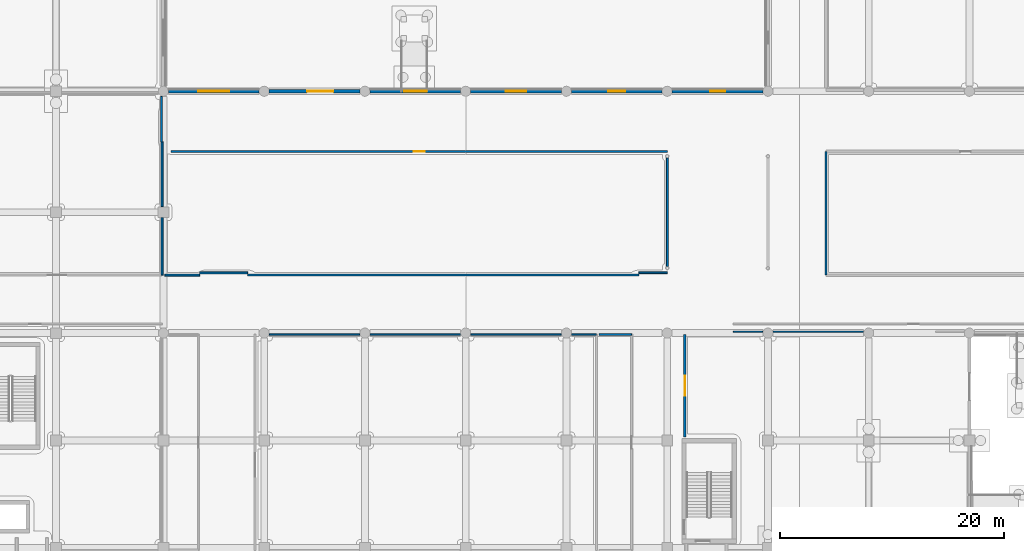
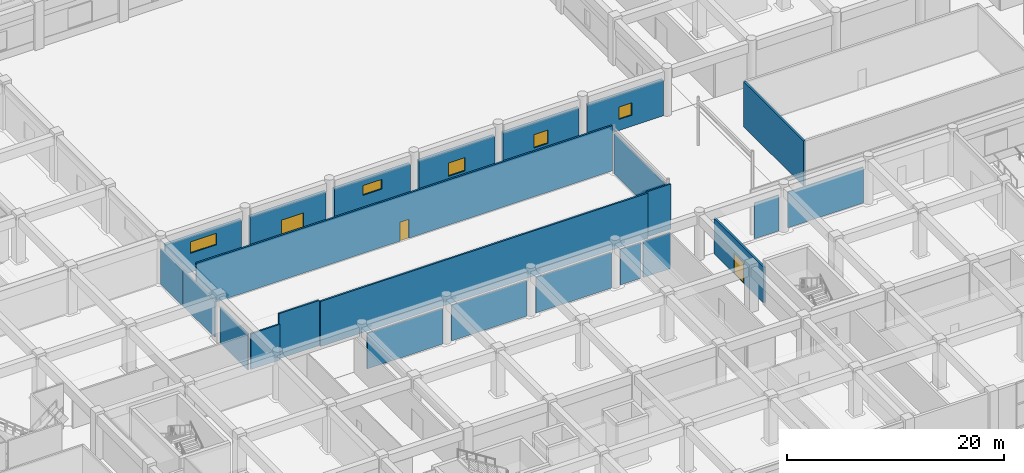
# One storey, part 33 of 74: 24 walls, 5 windows, 3 doors, 8 openings.
"""IFC4 building model written with IfcOpenShell, lengths in metres."""

from ifc_helpers import new_model, si_unit, direction, frame, frame_2d, origin, place, context, subcontext, project, spatial, rectangle, extrude, material, layer, layer_set, type_object, element, fill, save


model = new_model("IFC4")

# Units and contexts
model_context = context("Model", 3, precision=1e-05, world=origin(), true_north=direction((0.0, 1.0)))
body_context = subcontext(model_context, "Body", "Model", "MODEL_VIEW")
ifc_project = project(units=[si_unit("LENGTHUNIT", "METRE"), si_unit("AREAUNIT", "SQUARE_METRE"), si_unit("VOLUMEUNIT", "CUBIC_METRE"), si_unit("PLANEANGLEUNIT", "RADIAN"), si_unit("MASSUNIT", "GRAM", prefix="KILO")], contexts=[model_context])

# Site, building, storey
site_placement = place(None, origin())
site = spatial("IfcSite", under=ifc_project, at=site_placement, CompositionType="ELEMENT")
building_placement = place(site_placement, origin())
building = spatial("IfcBuilding", under=site, at=building_placement, Name="Cendralis Terraced Arcade", CompositionType="ELEMENT")
storey_placement = place(building_placement, origin())
storey = spatial("IfcBuildingStorey", under=building, at=storey_placement, Name="L00", CompositionType="ELEMENT", Elevation=0.0)

# Wall, opening, door
ifc_material_1 = material(Name="Gypsum plasterboard acoustic partition", Category="concrete")
ifc_layer_1 = layer(ifc_material_1, 0.205078125, Name="WL-ACOU-205")
ifc_layer_set_1 = layer_set([ifc_layer_1], Name="Gypsum plasterboard acoustic partition")
wall_type_1 = type_object("IfcWallType", Name="WL-ACOU-205", PredefinedType="PARTITIONING", material=ifc_layer_set_1)
wall_1_placement = place(storey_placement, frame((113.780029296875, 29.126220703125, 0.0), z_axis=(0.0, 0.0, 1.0), x_axis=(0.0, 1.0, 0.0)))
wall_1 = element("IfcWall", 1, at=wall_1_placement, inside=storey, type_object=wall_type_1, Name="Interior Partition Wall IW-L00-0291", PredefinedType="PARTITIONING", context=body_context, shape_type="SweptSolid", body=[
    extrude(rectangle(XDim=9.15380859375, YDim=0.205078125, at=frame_2d((4.576904296875, 0.0))), origin(), (0.0, 0.0, 1.0), 4.030029296875),
])
opening_1_placement = place(wall_1_placement, frame((3.68701171875, 0.0, 0.0)))
opening_1 = element("IfcOpeningElement", 2, at=opening_1_placement, cuts=wall_1, Name="Opening D-L00-085", PredefinedType="OPENING", context=body_context, shape_type="SweptSolid", body=[
    extrude(rectangle(XDim=1.780029296875, YDim=2.320068359375, at=frame_2d((0.89013671875, 1.16015625))), frame((0.0, 0.114501953125, 0.0), z_axis=(0.0, -1.0, 0.0), x_axis=(1.0, 0.0, 0.0)), (0.0, 0.0, 1.0), 0.22900390625),
])
ifc_material_2 = material(Name="Solid core Andean oak veneer door leaf", Category="aluminium")
door_type_1 = type_object("IfcDoorType", Name="ID-DEP-1780x2320", OperationType="DOUBLE_DOOR_SINGLE_SWING", PredefinedType="DOOR", material=ifc_material_2)
door_1_placement = place(opening_1_placement, origin())
door_1 = element("IfcDoor", 3, at=door_1_placement, inside=storey, type_object=door_type_1, Name="Culinary Preparation and Bakery Kitchens - Ground Door D-L00-085", OperationType="DOUBLE_DOOR_SINGLE_SWING", OverallHeight=2.320068359375, OverallWidth=1.780029296875, PredefinedType="DOOR", context=body_context, shape_type="SweptSolid", body=[
    extrude(rectangle(XDim=1.780029296875, YDim=2.320068359375, at=frame_2d((0.89013671875, 1.16015625))), frame((0.0, 0.02490234375, 0.0), z_axis=(0.0, -1.0, 0.0), x_axis=(1.0, 0.0, 0.0)), (0.0, 0.0, 1.0), 0.050048828125),
])
fill(opening_1, door_1)

# Wall
ifc_layer_2 = layer(ifc_material_1, 0.2099609375, Name="WL-ACOU-210")
ifc_layer_set_2 = layer_set([ifc_layer_2], Name="Gypsum plasterboard acoustic partition")
wall_type_2 = type_object("IfcWallType", Name="WL-ACOU-210", PredefinedType="PARTITIONING", material=ifc_layer_set_2)
wall_2_placement = place(storey_placement, frame((126.3798828125, 43.580078125, 0.0), z_axis=(0.0, 0.0, 1.0), x_axis=(0.0, 1.0, 0.0)))
element("IfcWall", 4, at=wall_2_placement, inside=storey, type_object=wall_type_2, Name="Interior Partition Wall IW-L00-0249", PredefinedType="PARTITIONING", context=body_context, shape_type="SweptSolid", body=[
    extrude(rectangle(XDim=11.0400390625, YDim=0.2099609375, at=frame_2d((5.52001953125, 0.0))), origin(), (0.0, 0.0, 1.0), 5.090087890625),
])

# Wall, opening, window
ifc_material_3 = material(Name="Precast concrete f'c 40 MPa", Category="concrete")
ifc_layer_3 = layer(ifc_material_3, 0.320068359375, Name="WL-EXT-GRC-320")
ifc_layer_set_3 = layer_set([ifc_layer_3], Name="Precast concrete f'c 40 MPa")
wall_type_3 = type_object("IfcWallType", Name="WL-EXT-GRC-320", PredefinedType="SOLIDWALL", material=ifc_layer_set_3)
wall_3_placement = place(storey_placement, frame((67.64794921875, 60.0, 0.0), z_axis=(0.0, 0.0, 1.0), x_axis=(1.0, 0.0, 0.0)))
wall_3 = element("IfcWall", 5, at=wall_3_placement, inside=storey, type_object=wall_type_3, Name="Exterior Architectural Wall EW-L00-0072", PredefinedType="SOLIDWALL", context=body_context, shape_type="SweptSolid", body=[
    extrude(rectangle(XDim=8.10400390625, YDim=0.320068359375, at=frame_2d((4.052001953125, 0.0))), origin(), (0.0, 0.0, 1.0), 4.030029296875),
])
opening_2_placement = place(wall_3_placement, frame((2.652099609375, 0.0, 2.14990234375)))
opening_2 = element("IfcOpeningElement", 6, at=opening_2_placement, cuts=wall_3, Name="Opening W-16", PredefinedType="OPENING", context=body_context, shape_type="SweptSolid", body=[
    extrude(rectangle(XDim=2.800048828125, YDim=1.300048828125, at=frame_2d((1.39990234375, 0.64990234375))), frame((0.0, 0.171875, 0.0), z_axis=(0.0, -1.0, 0.0), x_axis=(1.0, 0.0, 0.0)), (0.0, 0.0, 1.0), 0.343994140625),
])
ifc_material_4 = material(Name="Tempered solar control laminated glass", Category="glass")
window_type_1 = type_object("IfcWindowType", Name="WN-CL-2800x1300", PartitioningType="SINGLE_PANEL", PredefinedType="WINDOW", material=ifc_material_4)
window_1_placement = place(opening_2_placement, origin())
window_1 = element("IfcWindow", 7, at=window_1_placement, inside=storey, type_object=window_type_1, Name="Exterior Solar-Control Window WN-L00-0032", OverallHeight=1.300048828125, OverallWidth=2.800048828125, PartitioningType="SINGLE_PANEL", PredefinedType="WINDOW", context=body_context, shape_type="SweptSolid", body=[
    extrude(rectangle(XDim=2.800048828125, YDim=1.300048828125, at=frame_2d((1.39990234375, 0.64990234375))), frame((0.0, 0.030029296875, 0.0), z_axis=(0.0, -1.0, 0.0), x_axis=(1.0, 0.0, 0.0)), (0.0, 0.0, 1.0), 0.06005859375),
])
fill(opening_2, window_1)

# Wall, opening, door
wall_4_placement = place(storey_placement, frame((76.64990234375, 60.0, 0.0), z_axis=(0.0, 0.0, 1.0), x_axis=(1.0, 0.0, 0.0)))
wall_4 = element("IfcWall", 8, at=wall_4_placement, inside=storey, type_object=wall_type_3, Name="Exterior Architectural Wall EW-L00-0073", PredefinedType="SOLIDWALL", context=body_context, shape_type="SweptSolid", body=[
    extrude(rectangle(XDim=8.10009765625, YDim=0.320068359375, at=frame_2d((4.050048828125, 0.0))), origin(), (0.0, 0.0, 1.0), 4.030029296875),
])
opening_3_placement = place(wall_4_placement, frame((3.375, 0.0, 0.0)))
opening_3 = element("IfcOpeningElement", 9, at=opening_3_placement, cuts=wall_4, Name="Opening EX-12", PredefinedType="OPENING", context=body_context, shape_type="SweptSolid", body=[
    extrude(rectangle(XDim=2.35009765625, YDim=2.5, at=frame_2d((1.175048828125, 1.25))), frame((0.0, 0.171875, 0.0), z_axis=(0.0, -1.0, 0.0), x_axis=(1.0, 0.0, 0.0)), (0.0, 0.0, 1.0), 0.343994140625),
])
ifc_material_5 = material(Name="Powder-coated thermally broken aluminium and glass", Category="aluminium")
door_type_2 = type_object("IfcDoorType", Name="ED-COURT-2100x2500", OperationType="DOUBLE_DOOR_SINGLE_SWING", PredefinedType="DOOR", material=ifc_material_5)
door_2_placement = place(opening_3_placement, origin())
door_2 = element("IfcDoor", 10, at=door_2_placement, inside=storey, type_object=door_type_2, Name="Central Garden Court South Entrance EX-12", OperationType="DOUBLE_DOOR_SINGLE_SWING", OverallHeight=2.5, OverallWidth=2.35009765625, PredefinedType="DOOR", context=body_context, shape_type="SweptSolid", body=[
    extrude(rectangle(XDim=2.35009765625, YDim=2.5, at=frame_2d((1.175048828125, 1.25))), frame((0.0, 0.02490234375, 0.0), z_axis=(0.0, -1.0, 0.0), x_axis=(1.0, 0.0, 0.0)), (0.0, 0.0, 1.0), 0.050048828125),
])
fill(opening_3, door_2)

# Wall, opening, window
wall_5_placement = place(storey_placement, frame((85.64794921875, 60.0, 0.0), z_axis=(0.0, 0.0, 1.0), x_axis=(1.0, 0.0, 0.0)))
wall_5 = element("IfcWall", 11, at=wall_5_placement, inside=storey, type_object=wall_type_3, Name="Exterior Architectural Wall EW-L00-0074", PredefinedType="SOLIDWALL", context=body_context, shape_type="SweptSolid", body=[
    extrude(rectangle(XDim=8.10400390625, YDim=0.320068359375, at=frame_2d((4.052001953125, 0.0))), origin(), (0.0, 0.0, 1.0), 4.030029296875),
])
opening_4_placement = place(wall_5_placement, frame((3.052001953125, 0.0, 2.25)))
opening_4 = element("IfcOpeningElement", 12, at=opening_4_placement, cuts=wall_5, Name="Opening W-18", PredefinedType="OPENING", context=body_context, shape_type="SweptSolid", body=[
    extrude(rectangle(XDim=2.0, YDim=1.10009765625, at=frame_2d((1.0, 0.550048828125))), frame((0.0, 0.171875, 0.0), z_axis=(0.0, -1.0, 0.0), x_axis=(1.0, 0.0, 0.0)), (0.0, 0.0, 1.0), 0.343994140625),
])
window_type_2 = type_object("IfcWindowType", Name="WN-CL-2000x1100", PartitioningType="SINGLE_PANEL", PredefinedType="WINDOW", material=ifc_material_4)
window_2_placement = place(opening_4_placement, origin())
window_2 = element("IfcWindow", 13, at=window_2_placement, inside=storey, type_object=window_type_2, Name="Exterior Solar-Control Window WN-L00-0033", OverallHeight=1.10009765625, OverallWidth=2.0, PartitioningType="SINGLE_PANEL", PredefinedType="WINDOW", context=body_context, shape_type="SweptSolid", body=[
    extrude(rectangle(XDim=2.0, YDim=1.10009765625, at=frame_2d((1.0, 0.550048828125))), frame((0.0, 0.030029296875, 0.0), z_axis=(0.0, -1.0, 0.0), x_axis=(1.0, 0.0, 0.0)), (0.0, 0.0, 1.0), 0.06005859375),
])
fill(opening_4, window_2)

wall_6_placement = place(storey_placement, frame((94.64794921875, 60.0, 0.0), z_axis=(0.0, 0.0, 1.0), x_axis=(1.0, 0.0, 0.0)))
wall_6 = element("IfcWall", 14, at=wall_6_placement, inside=storey, type_object=wall_type_3, Name="Exterior Architectural Wall EW-L00-0075", PredefinedType="SOLIDWALL", context=body_context, shape_type="SweptSolid", body=[
    extrude(rectangle(XDim=8.10400390625, YDim=0.320068359375, at=frame_2d((4.052001953125, 0.0))), origin(), (0.0, 0.0, 1.0), 4.030029296875),
])
opening_5_placement = place(wall_6_placement, frame((3.152099609375, 0.0, 1.199951171875)))
opening_5 = element("IfcOpeningElement", 15, at=opening_5_placement, cuts=wall_6, Name="Opening W-19", PredefinedType="OPENING", context=body_context, shape_type="SweptSolid", body=[
    extrude(rectangle(XDim=1.800048828125, YDim=1.5, at=frame_2d((0.89990234375, 0.75))), frame((0.0, 0.171875, 0.0), z_axis=(0.0, -1.0, 0.0), x_axis=(1.0, 0.0, 0.0)), (0.0, 0.0, 1.0), 0.343994140625),
])
window_type_3 = type_object("IfcWindowType", Name="WN-BOH-1800x1500", PartitioningType="SINGLE_PANEL", PredefinedType="WINDOW", material=ifc_material_4)
window_3_placement = place(opening_5_placement, origin())
window_3 = element("IfcWindow", 16, at=window_3_placement, inside=storey, type_object=window_type_3, Name="Exterior Solar-Control Window WN-L00-0034", OverallHeight=1.5, OverallWidth=1.800048828125, PartitioningType="SINGLE_PANEL", PredefinedType="WINDOW", context=body_context, shape_type="SweptSolid", body=[
    extrude(rectangle(XDim=1.800048828125, YDim=1.5, at=frame_2d((0.89990234375, 0.75))), frame((0.0, 0.030029296875, 0.0), z_axis=(0.0, -1.0, 0.0), x_axis=(1.0, 0.0, 0.0)), (0.0, 0.0, 1.0), 0.06005859375),
])
fill(opening_5, window_3)

wall_7_placement = place(storey_placement, frame((103.64794921875, 60.0, 0.0), z_axis=(0.0, 0.0, 1.0), x_axis=(1.0, 0.0, 0.0)))
wall_7 = element("IfcWall", 17, at=wall_7_placement, inside=storey, type_object=wall_type_3, Name="Exterior Architectural Wall EW-L00-0076", PredefinedType="SOLIDWALL", context=body_context, shape_type="SweptSolid", body=[
    extrude(rectangle(XDim=8.10400390625, YDim=0.320068359375, at=frame_2d((4.052001953125, 0.0))), origin(), (0.0, 0.0, 1.0), 4.030029296875),
])
opening_6_placement = place(wall_7_placement, frame((3.302001953125, 0.0, 1.199951171875)))
opening_6 = element("IfcOpeningElement", 18, at=opening_6_placement, cuts=wall_7, Name="Opening W-20", PredefinedType="OPENING", context=body_context, shape_type="SweptSolid", body=[
    extrude(rectangle(XDim=1.5, YDim=1.5, at=frame_2d((0.75, 0.75))), frame((0.0, 0.171875, 0.0), z_axis=(0.0, -1.0, 0.0), x_axis=(1.0, 0.0, 0.0)), (0.0, 0.0, 1.0), 0.343994140625),
])
window_type_4 = type_object("IfcWindowType", Name="WN-BOH-1500x1500", PartitioningType="SINGLE_PANEL", PredefinedType="WINDOW", material=ifc_material_4)
window_4_placement = place(opening_6_placement, origin())
window_4 = element("IfcWindow", 19, at=window_4_placement, inside=storey, type_object=window_type_4, Name="Exterior Solar-Control Window WN-L00-0035", OverallHeight=1.5, OverallWidth=1.5, PartitioningType="SINGLE_PANEL", PredefinedType="WINDOW", context=body_context, shape_type="SweptSolid", body=[
    extrude(rectangle(XDim=1.5, YDim=1.5, at=frame_2d((0.75, 0.75))), frame((0.0, 0.030029296875, 0.0), z_axis=(0.0, -1.0, 0.0), x_axis=(1.0, 0.0, 0.0)), (0.0, 0.0, 1.0), 0.06005859375),
])
fill(opening_6, window_4)

wall_8_placement = place(storey_placement, frame((112.64794921875, 60.0, 0.0), z_axis=(0.0, 0.0, 1.0), x_axis=(1.0, 0.0, 0.0)))
wall_8 = element("IfcWall", 20, at=wall_8_placement, inside=storey, type_object=wall_type_3, Name="Exterior Architectural Wall EW-L00-0077", PredefinedType="SOLIDWALL", context=body_context, shape_type="SweptSolid", body=[
    extrude(rectangle(XDim=8.10400390625, YDim=0.320068359375, at=frame_2d((4.052001953125, 0.0))), origin(), (0.0, 0.0, 1.0), 4.030029296875),
])
opening_7_placement = place(wall_8_placement, frame((3.376953125, 0.0, 1.25)))
opening_7 = element("IfcOpeningElement", 21, at=opening_7_placement, cuts=wall_8, Name="Opening W-21", PredefinedType="OPENING", context=body_context, shape_type="SweptSolid", body=[
    extrude(rectangle(XDim=1.35009765625, YDim=1.39990234375, at=frame_2d((0.675048828125, 0.699951171875))), frame((0.0, 0.171875, 0.0), z_axis=(0.0, -1.0, 0.0), x_axis=(1.0, 0.0, 0.0)), (0.0, 0.0, 1.0), 0.343994140625),
])
window_type_5 = type_object("IfcWindowType", Name="WN-BOH-1350x1400", PartitioningType="SINGLE_PANEL", PredefinedType="WINDOW", material=ifc_material_4)
window_5_placement = place(opening_7_placement, origin())
window_5 = element("IfcWindow", 22, at=window_5_placement, inside=storey, type_object=window_type_5, Name="Exterior Solar-Control Window WN-L00-0036", OverallHeight=1.39990234375, OverallWidth=1.35009765625, PartitioningType="SINGLE_PANEL", PredefinedType="WINDOW", context=body_context, shape_type="SweptSolid", body=[
    extrude(rectangle(XDim=1.35009765625, YDim=1.39990234375, at=frame_2d((0.675048828125, 0.699951171875))), frame((0.0, 0.030029296875, 0.0), z_axis=(0.0, -1.0, 0.0), x_axis=(1.0, 0.0, 0.0)), (0.0, 0.0, 1.0), 0.06005859375),
])
fill(opening_7, window_5)

# Walls
ifc_layer_4 = layer(ifc_material_1, 0.112060546875, Name="WL-PART-112")
ifc_layer_set_4 = layer_set([ifc_layer_4], Name="Gypsum plasterboard acoustic partition")
wall_type_4 = type_object("IfcWallType", Name="WL-PART-112", PredefinedType="PARTITIONING", material=ifc_layer_set_4)
wall_9_placement = place(storey_placement, frame((120.72998046875, 38.52001953125, 0.0), z_axis=(0.0, 0.0, 1.0), x_axis=(-1.0, 0.0, 0.0)))
element("IfcWall", 23, at=wall_9_placement, inside=storey, type_object=wall_type_4, Name="Interior Partition Wall IW-L00-0246", PredefinedType="PARTITIONING", context=body_context, shape_type="SweptSolid", body=[
    extrude(rectangle(XDim=2.60986328125, YDim=0.112060546875, at=frame_2d((1.304931640625, 0.0))), origin(), (0.0, 0.0, 1.0), 4.030029296875),
])
ifc_layer_5 = layer(ifc_material_1, 0.114990234375, Name="WL-PART-115")
ifc_layer_set_5 = layer_set([ifc_layer_5], Name="Gypsum plasterboard acoustic partition")
wall_type_5 = type_object("IfcWallType", Name="WL-PART-115", PredefinedType="PARTITIONING", material=ifc_layer_set_5)
wall_10_placement = place(storey_placement, frame((129.72998046875, 38.52001953125, 0.0), z_axis=(0.0, 0.0, 1.0), x_axis=(-1.0, 0.0, 0.0)))
element("IfcWall", 24, at=wall_10_placement, inside=storey, type_object=wall_type_5, Name="Interior Partition Wall IW-L00-0245", PredefinedType="PARTITIONING", context=body_context, shape_type="SweptSolid", body=[
    extrude(rectangle(XDim=8.06005859375, YDim=0.114990234375, at=frame_2d((4.030029296875, 0.0))), origin(), (0.0, 0.0, 1.0), 4.030029296875),
])
ifc_layer_6 = layer(ifc_material_1, 0.1259765625, Name="WL-PART-126")
ifc_layer_set_6 = layer_set([ifc_layer_6], Name="Gypsum plasterboard acoustic partition")
wall_type_6 = type_object("IfcWallType", Name="WL-PART-126", PredefinedType="PARTITIONING", material=ifc_layer_set_6)
wall_11_placement = place(storey_placement, frame((103.669921875, 38.280029296875, 0.0), z_axis=(0.0, 0.0, 1.0), x_axis=(1.0, 0.0, 0.0)))
element("IfcWall", 25, at=wall_11_placement, inside=storey, type_object=wall_type_6, Name="Interior Partition Wall IW-L00-0285", PredefinedType="PARTITIONING", context=body_context, shape_type="SweptSolid", body=[
    extrude(rectangle(XDim=2.2099609375, YDim=0.1259765625, at=frame_2d((1.10498046875, 0.0))), origin(), (0.0, 0.0, 1.0), 4.030029296875),
])
ifc_layer_7 = layer(ifc_material_1, 0.1298828125, Name="WL-PART-130")
ifc_layer_set_7 = layer_set([ifc_layer_7], Name="Gypsum plasterboard acoustic partition")
wall_type_7 = type_object("IfcWallType", Name="WL-PART-130", PredefinedType="PARTITIONING", material=ifc_layer_set_7)
wall_12_placement = place(storey_placement, frame((94.669921875, 38.280029296875, 0.0), z_axis=(0.0, 0.0, 1.0), x_axis=(1.0, 0.0, 0.0)))
element("IfcWall", 26, at=wall_12_placement, inside=storey, type_object=wall_type_7, Name="Interior Partition Wall IW-L00-0284", PredefinedType="PARTITIONING", context=body_context, shape_type="SweptSolid", body=[
    extrude(rectangle(XDim=8.06005859375, YDim=0.1298828125, at=frame_2d((4.030029296875, 0.0))), origin(), (0.0, 0.0, 1.0), 4.030029296875),
])
ifc_layer_8 = layer(ifc_material_1, 0.134033203125, Name="WL-PART-134")
ifc_layer_set_8 = layer_set([ifc_layer_8], Name="Gypsum plasterboard acoustic partition")
wall_type_8 = type_object("IfcWallType", Name="WL-PART-134", PredefinedType="PARTITIONING", material=ifc_layer_set_8)
wall_13_placement = place(storey_placement, frame((85.669921875, 38.280029296875, 0.0), z_axis=(0.0, 0.0, 1.0), x_axis=(1.0, 0.0, 0.0)))
element("IfcWall", 27, at=wall_13_placement, inside=storey, type_object=wall_type_8, Name="Interior Partition Wall IW-L00-0283", PredefinedType="PARTITIONING", context=body_context, shape_type="SweptSolid", body=[
    extrude(rectangle(XDim=8.06005859375, YDim=0.134033203125, at=frame_2d((4.030029296875, 0.0))), origin(), (0.0, 0.0, 1.0), 4.030029296875),
])
ifc_layer_9 = layer(ifc_material_1, 0.137939453125, Name="WL-PART-138")
ifc_layer_set_9 = layer_set([ifc_layer_9], Name="Gypsum plasterboard acoustic partition")
wall_type_9 = type_object("IfcWallType", Name="WL-PART-138", PredefinedType="PARTITIONING", material=ifc_layer_set_9)
wall_14_placement = place(storey_placement, frame((76.669921875, 38.280029296875, 0.0), z_axis=(0.0, 0.0, 1.0), x_axis=(1.0, 0.0, 0.0)))
element("IfcWall", 28, at=wall_14_placement, inside=storey, type_object=wall_type_9, Name="Interior Partition Wall IW-L00-0282", PredefinedType="PARTITIONING", context=body_context, shape_type="SweptSolid", body=[
    extrude(rectangle(XDim=8.06005859375, YDim=0.137939453125, at=frame_2d((4.030029296875, 0.0))), origin(), (0.0, 0.0, 1.0), 4.030029296875),
])
ifc_layer_10 = layer(ifc_material_1, 0.154052734375, Name="WL-PART-154")
ifc_layer_set_10 = layer_set([ifc_layer_10], Name="Gypsum plasterboard acoustic partition")
wall_type_10 = type_object("IfcWallType", Name="WL-PART-154", PredefinedType="PARTITIONING", material=ifc_layer_set_10)
wall_15_placement = place(storey_placement, frame((67.02001953125, 59.550048828125, 0.0), z_axis=(0.0, 0.0, 1.0), x_axis=(0.0, -1.0, 0.0)))
element("IfcWall", 29, at=wall_15_placement, inside=storey, type_object=wall_type_10, Name="Interior Partition Wall IW-L00-0215", PredefinedType="PARTITIONING", context=body_context, shape_type="SweptSolid", body=[
    extrude(rectangle(XDim=4.070068359375, YDim=0.154052734375, at=frame_2d((2.03515625, 0.0))), origin(), (0.0, 0.0, 1.0), 4.030029296875),
])
ifc_layer_11 = layer(ifc_material_1, 0.159912109375, Name="WL-PART-160")
ifc_layer_set_11 = layer_set([ifc_layer_11], Name="Gypsum plasterboard acoustic partition")
wall_type_11 = type_object("IfcWallType", Name="WL-PART-160", PredefinedType="PARTITIONING", material=ifc_layer_set_11)
wall_16_placement = place(storey_placement, frame((112.219970703125, 43.780029296875, 0.0), z_axis=(0.0, 0.0, 1.0), x_axis=(-1.0, 0.0, 0.0)))
element("IfcWall", 30, at=wall_16_placement, inside=storey, type_object=wall_type_11, Name="Interior Partition Wall IW-L00-0235", PredefinedType="PARTITIONING", context=body_context, shape_type="SweptSolid", body=[
    extrude(rectangle(XDim=2.539306640625, YDim=0.159912109375, at=frame_2d((1.26953125, 0.0))), origin(), (0.0, 0.0, 1.0), 5.090087890625),
])
wall_17_placement = place(storey_placement, frame((106.1201171875, 38.280029296875, 0.0), z_axis=(0.0, 0.0, 1.0), x_axis=(1.0, 0.0, 0.0)))
element("IfcWall", 31, at=wall_17_placement, inside=storey, type_object=wall_type_11, Name="Interior Partition Wall IW-L00-0298", PredefinedType="PARTITIONING", context=body_context, shape_type="SweptSolid", body=[
    extrude(rectangle(XDim=2.89990234375, YDim=0.159912109375, at=frame_2d((1.449951171875, 0.0))), origin(), (0.0, 0.0, 1.0), 4.030029296875),
])
ifc_layer_12 = layer(ifc_material_1, 0.1650390625, Name="WL-PART-165")
ifc_layer_set_12 = layer_set([ifc_layer_12], Name="Gypsum plasterboard acoustic partition")
wall_type_12 = type_object("IfcWallType", Name="WL-PART-165", PredefinedType="PARTITIONING", material=ifc_layer_set_12)
wall_18_placement = place(storey_placement, frame((67.080078125, 48.705078125, 0.0), z_axis=(0.0, 0.0, 1.0), x_axis=(0.0, -1.0, 0.0)))
element("IfcWall", 32, at=wall_18_placement, inside=storey, type_object=wall_type_12, Name="Interior Partition Wall IW-L00-0213", PredefinedType="PARTITIONING", context=body_context, shape_type="SweptSolid", body=[
    extrude(rectangle(XDim=5.125, YDim=0.1650390625, at=frame_2d((2.5625, 0.0))), origin(), (0.0, 0.0, 1.0), 4.030029296875),
])
wall_19_placement = place(storey_placement, frame((70.4296875, 43.580078125, 0.0), z_axis=(0.0, 0.0, 1.0), x_axis=(-1.0, 0.0, 0.0)))
element("IfcWall", 33, at=wall_19_placement, inside=storey, type_object=wall_type_12, Name="Interior Partition Wall IW-L00-0234", PredefinedType="PARTITIONING", context=body_context, shape_type="SweptSolid", body=[
    extrude(rectangle(XDim=3.109619140625, YDim=0.1650390625, at=frame_2d((1.5546875, 0.0))), origin(), (0.0, 0.0, 1.0), 4.030029296875),
])
ifc_layer_13 = layer(ifc_material_1, 0.169921875, Name="WL-PART-170")
ifc_layer_set_13 = layer_set([ifc_layer_13], Name="Gypsum plasterboard acoustic partition")
wall_type_13 = type_object("IfcWallType", Name="WL-PART-170", PredefinedType="PARTITIONING", material=ifc_layer_set_13)
wall_20_placement = place(storey_placement, frame((67.080078125, 55.47998046875, 0.0), z_axis=(0.0, 0.0, 1.0), x_axis=(0.0, -1.0, 0.0)))
element("IfcWall", 34, at=wall_20_placement, inside=storey, type_object=wall_type_13, Name="Interior Partition Wall IW-L00-0212", PredefinedType="PARTITIONING", context=body_context, shape_type="SweptSolid", body=[
    extrude(rectangle(XDim=5.784912109375, YDim=0.169921875, at=frame_2d((2.892578125, 0.0))), origin(), (0.0, 0.0, 1.0), 4.030029296875),
])
wall_21_placement = place(storey_placement, frame((74.719482421875, 43.780029296875, 0.0), z_axis=(0.0, 0.0, 1.0), x_axis=(-1.0, 0.0, 0.0)))
element("IfcWall", 35, at=wall_21_placement, inside=storey, type_object=wall_type_13, Name="Interior Partition Wall IW-L00-0233", PredefinedType="PARTITIONING", context=body_context, shape_type="SweptSolid", body=[
    extrude(rectangle(XDim=4.289794921875, YDim=0.169921875, at=frame_2d((2.14501953125, 0.0))), origin(), (0.0, 0.0, 1.0), 5.090087890625),
])
ifc_layer_14 = layer(ifc_material_1, 0.175048828125, Name="WL-PART-175")
ifc_layer_set_14 = layer_set([ifc_layer_14], Name="Gypsum plasterboard acoustic partition")
wall_type_14 = type_object("IfcWallType", Name="WL-PART-175", PredefinedType="PARTITIONING", material=ifc_layer_set_14)
wall_22_placement = place(storey_placement, frame((112.219970703125, 54.0400390625, 0.0), z_axis=(0.0, 0.0, 1.0), x_axis=(0.0, -1.0, 0.0)))
element("IfcWall", 36, at=wall_22_placement, inside=storey, type_object=wall_type_14, Name="Interior Partition Wall IW-L00-0232", PredefinedType="PARTITIONING", context=body_context, shape_type="SweptSolid", body=[
    extrude(rectangle(XDim=9.679931640625, YDim=0.175048828125, at=frame_2d((4.83984375, 0.0))), origin(), (0.0, 0.0, 1.0), 4.54296875),
])
ifc_layer_15 = layer(ifc_material_1, 0.179931640625, Name="WL-PART-180")
ifc_layer_set_15 = layer_set([ifc_layer_15], Name="Gypsum plasterboard acoustic partition")
wall_type_15 = type_object("IfcWallType", Name="WL-PART-180", PredefinedType="PARTITIONING", material=ifc_layer_set_15)
wall_23_placement = place(storey_placement, frame((109.6806640625, 43.580078125, 0.0), z_axis=(0.0, 0.0, 1.0), x_axis=(-1.0, 0.0, 0.0)))
element("IfcWall", 37, at=wall_23_placement, inside=storey, type_object=wall_type_15, Name="Interior Partition Wall IW-L00-0231", PredefinedType="PARTITIONING", context=body_context, shape_type="SweptSolid", body=[
    extrude(rectangle(XDim=34.961181640625, YDim=0.179931640625, at=frame_2d((17.48046875, 0.0))), origin(), (0.0, 0.0, 1.0), 5.090087890625),
])

# Wall, opening, door
ifc_layer_16 = layer(ifc_material_1, 0.18505859375, Name="WL-PART-185")
ifc_layer_set_16 = layer_set([ifc_layer_16], Name="Gypsum plasterboard acoustic partition")
wall_type_16 = type_object("IfcWallType", Name="WL-PART-185", PredefinedType="PARTITIONING", material=ifc_layer_set_16)
wall_24_placement = place(storey_placement, frame((67.8798828125, 54.6201171875, 0.0), z_axis=(0.0, 0.0, 1.0), x_axis=(1.0, 0.0, 0.0)))
wall_24 = element("IfcWall", 38, at=wall_24_placement, inside=storey, type_object=wall_type_16, Name="Interior Partition Wall IW-L00-0230", PredefinedType="PARTITIONING", context=body_context, shape_type="SweptSolid", body=[
    extrude(rectangle(XDim=44.340087890625, YDim=0.18505859375, at=frame_2d((22.169921875, 0.0))), origin(), (0.0, 0.0, 1.0), 5.090087890625),
])
opening_8_placement = place(wall_24_placement, frame((21.68994140625, 0.0, 0.0)))
opening_8 = element("IfcOpeningElement", 39, at=opening_8_placement, cuts=wall_24, Name="Opening D-L00-070", PredefinedType="OPENING", context=body_context, shape_type="SweptSolid", body=[
    extrude(rectangle(XDim=0.9599609375, YDim=2.1298828125, at=frame_2d((0.47998046875, 1.06494140625))), frame((0.0, 0.1044921875, 0.0), z_axis=(0.0, -1.0, 0.0), x_axis=(1.0, 0.0, 0.0)), (0.0, 0.0, 1.0), 0.208984375),
])
door_type_3 = type_object("IfcDoorType", Name="ID-RM-0960x2130", OperationType="NOTDEFINED", PredefinedType="DOOR", material=ifc_material_2)
door_3_placement = place(opening_8_placement, origin())
door_3 = element("IfcDoor", 40, at=door_3_placement, inside=storey, type_object=door_type_3, Name="Glass-Roofed Shopping Arcade Boutiques - West Arcade Door D-L00-070", OperationType="SINGLE_SWING_RIGHT", OverallHeight=2.1298828125, OverallWidth=0.9599609375, PredefinedType="DOOR", context=body_context, shape_type="SweptSolid", body=[
    extrude(rectangle(XDim=0.9599609375, YDim=2.1298828125, at=frame_2d((0.47998046875, 1.06494140625))), frame((0.0, 0.02490234375, 0.0), z_axis=(0.0, -1.0, 0.0), x_axis=(1.0, 0.0, 0.0)), (0.0, 0.0, 1.0), 0.050048828125),
])
fill(opening_8, door_3)

save(model, "model.ifc")
